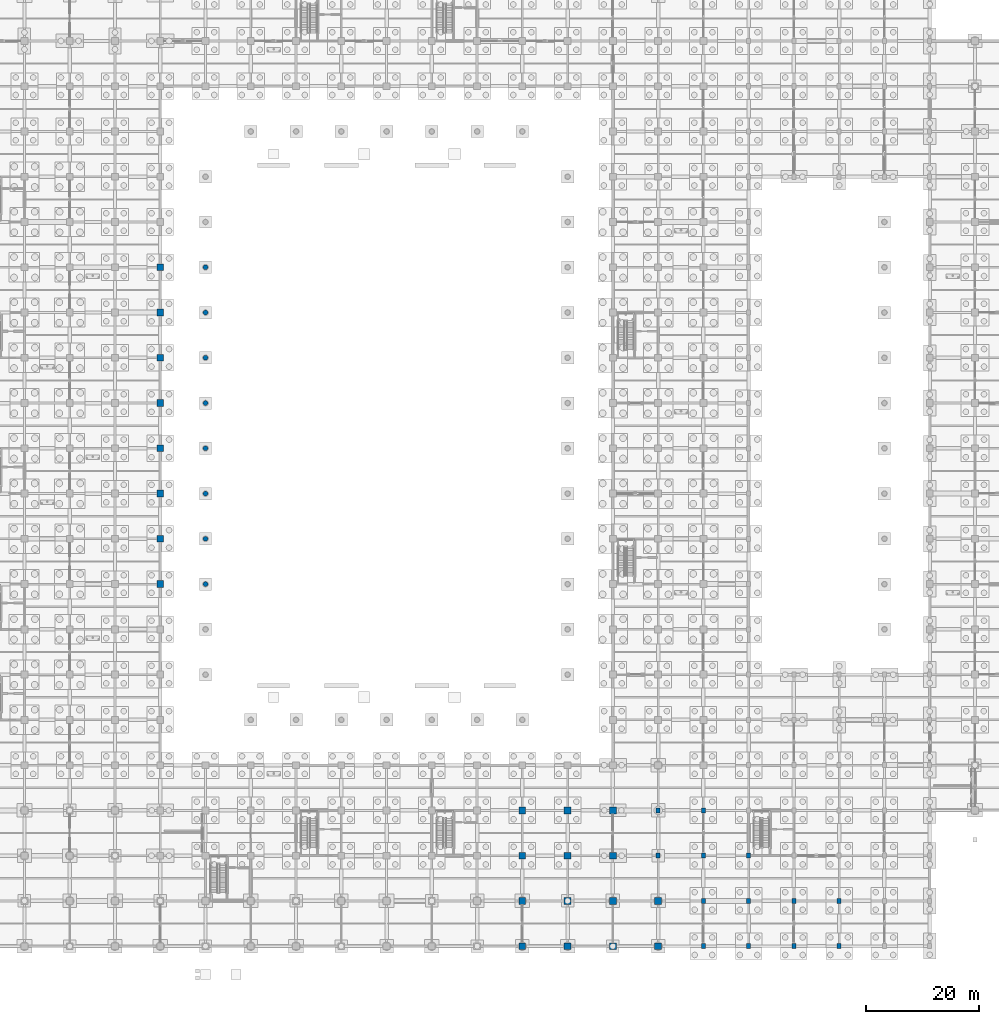
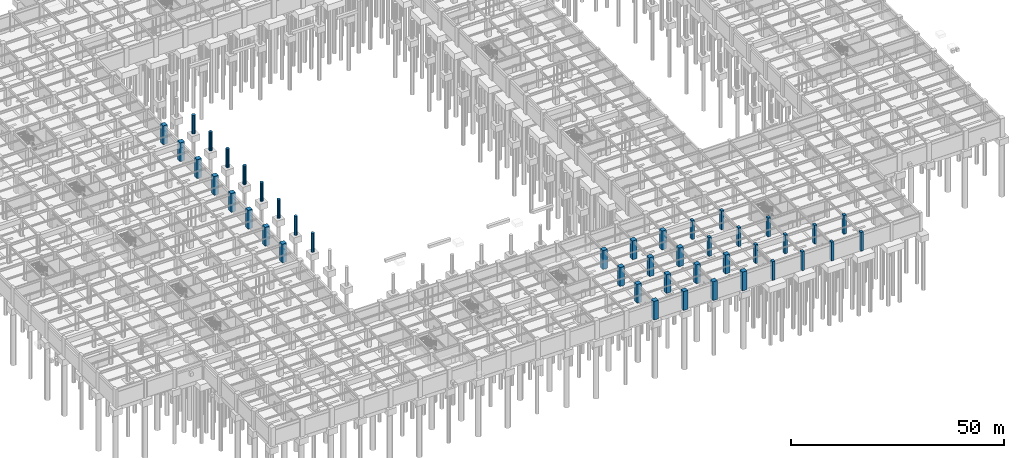
# One storey, part 36 of 97: 43 columns.
"""IFC4 building model written with IfcOpenShell, lengths in metres."""

from ifc_helpers import new_model, si_unit, direction, frame, origin, origin_2d, place, context, subcontext, project, spatial, rectangle, circle, extrude, material, material_profile, profile_set, type_object, element, save


model = new_model("IFC4")

# Units and contexts
model_context = context("Model", 3, precision=1e-05, world=origin(), true_north=direction((0.0, 1.0)))
body_context = subcontext(model_context, "Body", "Model", "MODEL_VIEW")
ifc_project = project(units=[si_unit("LENGTHUNIT", "METRE"), si_unit("AREAUNIT", "SQUARE_METRE"), si_unit("VOLUMEUNIT", "CUBIC_METRE"), si_unit("PLANEANGLEUNIT", "RADIAN"), si_unit("MASSUNIT", "GRAM", prefix="KILO")], contexts=[model_context])

# Site, building, storey
site_placement = place(None, origin())
site = spatial("IfcSite", under=ifc_project, at=site_placement, CompositionType="ELEMENT")
building_placement = place(site_placement, origin())
building = spatial("IfcBuilding", under=site, at=building_placement, Name="Haebicheon Civic Stadium", CompositionType="ELEMENT")
storey_placement = place(building_placement, frame((0.0, 0.0, -5.39990234375)))
storey = spatial("IfcBuildingStorey", under=building, at=storey_placement, Name="B1", CompositionType="ELEMENT", Elevation=-5.39990234375)

# Columns
ifc_material_1 = material(Name="Concrete C40/50", Category="concrete")
ifc_material_profile_1 = material_profile(ifc_material_1, rectangle(XDim=1.199951171875, YDim=1.199951171875, at=origin_2d()), Name="RC-COL-1200x1200")
ifc_profile_set_1 = profile_set([ifc_material_profile_1], Name="Concrete C40/50")
column_type_1 = type_object("IfcColumnType", Name="COL-RC-1200", PredefinedType="COLUMN", material=ifc_profile_set_1)
for number, where, z_axis, x_axis, name in (
    (1, (64.0, 64.0, 0.0), (0.0, 0.0, 1.0), (1.0, 0.0, 0.0), "B1 column 9/J"),
    (2, (64.0, 72.0, 0.0), (0.0, 0.0, 1.0), (1.0, 0.0, 0.0), "B1 column 9/K"),
    (3, (64.0, 80.0, 0.0), (0.0, 0.0, 1.0), (1.0, 0.0, 0.0), "B1 column 9/L"),
    (4, (64.0, 88.0, 0.0), (0.0, 0.0, 1.0), (1.0, 0.0, 0.0), "B1 column 9/M"),
    (5, (64.0, 96.0, 0.0), (0.0, 0.0, 1.0), (1.0, 0.0, 0.0), "B1 column 9/N"),
    (6, (64.0, 104.0, 0.0), (0.0, 0.0, 1.0), (1.0, 0.0, 0.0), "B1 column 9/P"),
    (7, (64.0, 112.0, 0.0), (0.0, 0.0, 1.0), (1.0, 0.0, 0.0), "B1 column 9/Q"),
    (8, (64.0, 120.0, 0.0), (0.0, 0.0, 1.0), (1.0, 0.0, 0.0), "B1 column 9/R"),
    (9, (128.0, 0.0, 0.0), (0.0, 0.0, 1.0), (1.0, 0.0, 0.0), "B1 column 17/A"),
    (10, (128.0, 8.0, 0.0), (0.0, 0.0, 1.0), (1.0, 0.0, 0.0), "B1 column 17/B"),
    (11, (128.0, 16.0, 0.0), (0.0, 0.0, 1.0), (1.0, 0.0, 0.0), "B1 column 17/C"),
    (12, (128.0, 24.0, 0.0), (0.0, 0.0, 1.0), (1.0, 0.0, 0.0), "B1 column 17/D"),
    (13, (136.0, 0.0, 0.0), (0.0, 0.0, 1.0), (1.0, 0.0, 0.0), "B1 column 18/A"),
    (14, (136.0, 8.0, 0.0), (0.0, 0.0, 1.0), (1.0, 0.0, 0.0), "B1 column 18/B"),
    (15, (136.0, 16.0, 0.0), (0.0, 0.0, 1.0), (1.0, 0.0, 0.0), "B1 column 18/C"),
    (16, (136.0, 24.0, 0.0), (0.0, 0.0, 1.0), (1.0, 0.0, 0.0), "B1 column 18/D"),
    (17, (144.0, 0.0, 0.0), (0.0, 0.0, 1.0), (1.0, 0.0, 0.0), "B1 column 19/A"),
    (18, (144.0, 8.0, 0.0), (0.0, 0.0, 1.0), (1.0, 0.0, 0.0), "B1 column 19/B"),
    (19, (144.0, 16.0, 0.0), (0.0, 0.0, 1.0), (1.0, 0.0, 0.0), "B1 column 19/C"),
    (20, (144.0, 24.0, 0.0), (0.0, 0.0, 1.0), (1.0, 0.0, 0.0), "B1 column 19/D"),
    (21, (152.0, 0.0, 0.0), (0.0, 0.0, 1.0), (1.0, 0.0, 0.0), "B1 column 20/A"),
    (22, (152.0, 8.0, 0.0), (0.0, 0.0, 1.0), (1.0, 0.0, 0.0), "B1 column 20/B"),
):
    element("IfcColumn", number, at=place(storey_placement, frame(where, z_axis=z_axis, x_axis=x_axis)), inside=storey, type_object=column_type_1, material=ifc_profile_set_1, Name=name, PredefinedType="COLUMN", context=body_context, shape_type="SweptSolid", body=[
        extrude(rectangle(XDim=1.199951171875, YDim=1.199951171875, at=origin_2d()), origin(), (0.0, 0.0, 1.0), 5.39990234375),
    ])
ifc_material_2 = material(Name="Concrete C40/50", Category="concrete")
ifc_material_profile_2 = material_profile(ifc_material_2, rectangle(XDim=0.699951171875, YDim=0.89990234375, at=origin_2d()), Name="RC-COL-900x700")
ifc_profile_set_2 = profile_set([ifc_material_profile_2], Name="Concrete C40/50")
column_type_2 = type_object("IfcColumnType", Name="COL-RC-900x700", PredefinedType="COLUMN", material=ifc_profile_set_2)
for number, where, z_axis, x_axis, name in (
    (23, (152.0, 16.0, 0.0), (0.0, 0.0, 1.0), (1.0, 0.0, 0.0), "B1 column 20/C"),
    (24, (152.0, 24.0, 0.0), (0.0, 0.0, 1.0), (1.0, 0.0, 0.0), "B1 column 20/D"),
    (25, (160.0, 0.0, 0.0), (0.0, 0.0, 1.0), (1.0, 0.0, 0.0), "B1 column 21/A"),
    (26, (160.0, 8.0, 0.0), (0.0, 0.0, 1.0), (1.0, 0.0, 0.0), "B1 column 21/B"),
    (27, (160.0, 16.0, 0.0), (0.0, 0.0, 1.0), (1.0, 0.0, 0.0), "B1 column 21/C"),
    (28, (160.0, 24.0, 0.0), (0.0, 0.0, 1.0), (1.0, 0.0, 0.0), "B1 column 21/D"),
    (29, (168.0, 0.0, 0.0), (0.0, 0.0, 1.0), (1.0, 0.0, 0.0), "B1 column 22/A"),
    (30, (168.0, 8.0, 0.0), (0.0, 0.0, 1.0), (1.0, 0.0, 0.0), "B1 column 22/B"),
    (31, (168.0, 16.0, 0.0), (0.0, 0.0, 1.0), (1.0, 0.0, 0.0), "B1 column 22/C"),
    (32, (176.0, 0.0, 0.0), (0.0, 0.0, 1.0), (1.0, 0.0, 0.0), "B1 column 23/A"),
    (33, (176.0, 8.0, 0.0), (0.0, 0.0, 1.0), (1.0, 0.0, 0.0), "B1 column 23/B"),
    (34, (184.0, 0.0, 0.0), (0.0, 0.0, 1.0), (1.0, 0.0, 0.0), "B1 column 24/A"),
    (35, (184.0, 8.0, 0.0), (0.0, 0.0, 1.0), (1.0, 0.0, 0.0), "B1 column 24/B"),
):
    element("IfcColumn", number, at=place(storey_placement, frame(where, z_axis=z_axis, x_axis=x_axis)), inside=storey, type_object=column_type_2, material=ifc_profile_set_2, Name=name, PredefinedType="COLUMN", context=body_context, shape_type="SweptSolid", body=[
        extrude(rectangle(XDim=0.699951171875, YDim=0.89990234375, at=origin_2d()), origin(), (0.0, 0.0, 1.0), 5.39990234375),
    ])
ifc_material_3 = material(Name="Concrete C40/50", Category="concrete")
ifc_material_profile_3 = material_profile(ifc_material_3, circle(Radius=0.425048828125, at=origin_2d()), Name="RC-COL-D850")
ifc_profile_set_3 = profile_set([ifc_material_profile_3], Name="Concrete C40/50")
column_type_3 = type_object("IfcColumnType", Name="COL-RC-D850", PredefinedType="COLUMN", material=ifc_profile_set_3)
for number, where, z_axis, x_axis, name in (
    (36, (72.0, 64.0, 0.0), (0.0, 0.0, 1.0), (1.0, 0.0, 0.0), "Bowl/canopy support column 72/64 (B1)"),
    (37, (72.0, 72.0, 0.0), (0.0, 0.0, 1.0), (1.0, 0.0, 0.0), "Bowl/canopy support column 72/72 (B1)"),
    (38, (72.0, 80.0, 0.0), (0.0, 0.0, 1.0), (1.0, 0.0, 0.0), "Bowl/canopy support column 72/80 (B1)"),
    (39, (72.0, 88.0, 0.0), (0.0, 0.0, 1.0), (1.0, 0.0, 0.0), "Bowl/canopy support column 72/88 (B1)"),
    (40, (72.0, 96.0, 0.0), (0.0, 0.0, 1.0), (1.0, 0.0, 0.0), "Bowl/canopy support column 72/96 (B1)"),
    (41, (72.0, 104.0, 0.0), (0.0, 0.0, 1.0), (1.0, 0.0, 0.0), "Bowl/canopy support column 72/104 (B1)"),
    (42, (72.0, 112.0, 0.0), (0.0, 0.0, 1.0), (1.0, 0.0, 0.0), "Bowl/canopy support column 72/112 (B1)"),
    (43, (72.0, 120.0, 0.0), (0.0, 0.0, 1.0), (1.0, 0.0, 0.0), "Bowl/canopy support column 72/120 (B1)"),
):
    element("IfcColumn", number, at=place(storey_placement, frame(where, z_axis=z_axis, x_axis=x_axis)), inside=storey, type_object=column_type_3, material=ifc_profile_set_3, Name=name, PredefinedType="COLUMN", context=body_context, shape_type="SweptSolid", body=[
        extrude(circle(Radius=0.425048828125, at=origin_2d()), origin(), (0.0, 0.0, 1.0), 5.39990234375),
    ])

save(model, "model.ifc")
